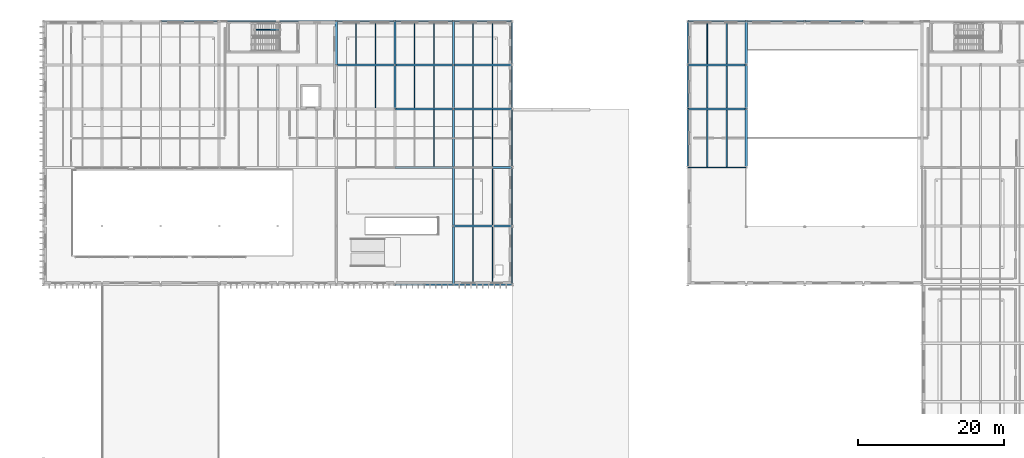
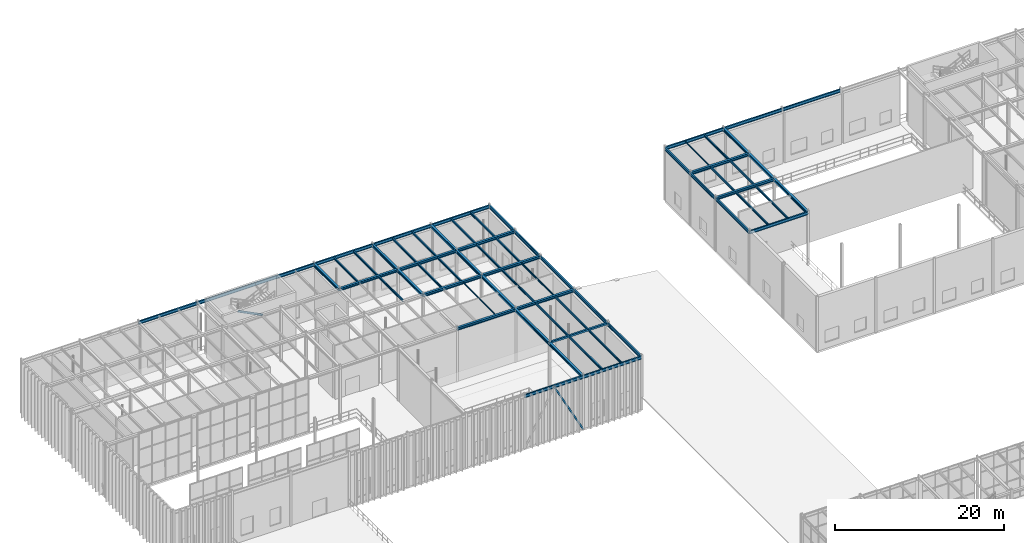
# One storey, part 64 of 138: 65 beams, 2 members.
"""IFC4 building model written with IfcOpenShell, lengths in metres."""

from ifc_helpers import new_model, si_unit, direction, frame, origin, origin_2d, place, context, subcontext, project, spatial, hollow_rectangle, i_section, extrude, material, material_profile, profile_set, type_object, element, save


model = new_model("IFC4")

# Units and contexts
model_context = context("Model", 3, precision=1e-05, world=origin(), true_north=direction((0.0, 1.0)))
body_context = subcontext(model_context, "Body", "Model", "MODEL_VIEW")
ifc_project = project(units=[si_unit("LENGTHUNIT", "METRE"), si_unit("AREAUNIT", "SQUARE_METRE"), si_unit("VOLUMEUNIT", "CUBIC_METRE"), si_unit("PLANEANGLEUNIT", "RADIAN"), si_unit("MASSUNIT", "GRAM", prefix="KILO")], contexts=[model_context])

# Site, building, storey
site_placement = place(None, origin())
site = spatial("IfcSite", under=ifc_project, at=site_placement, CompositionType="ELEMENT")
building_placement = place(site_placement, origin())
building = spatial("IfcBuilding", under=site, at=building_placement, Name="Sundkrona Museum", CompositionType="ELEMENT")
storey_placement = place(building_placement, frame((0.0, 0.0, 9.60009765625)))
storey = spatial("IfcBuildingStorey", under=building, at=storey_placement, Name="L02", CompositionType="ELEMENT", Elevation=9.60009765625)

# Beams
ifc_material_1 = material(Name="Steel S355J2", Category="steel")
ifc_material_profile_1 = material_profile(ifc_material_1, i_section(OverallWidth=0.300048828125, OverallDepth=0.389892578125, WebThickness=0.010986328125, FlangeThickness=0.01904296875, FilletRadius=0.027099609375, at=origin_2d()), Name="HEA 400")
ifc_profile_set_1 = profile_set([ifc_material_profile_1], Name="Steel S355J2")
beam_type_1 = type_object("IfcBeamType", Name="B-HEA400", PredefinedType="BEAM", material=ifc_profile_set_1)
for number, where, z_axis, x_axis, name in (
    (1, (64.0, 94.0, 7.56494140625), (1.0, 0.0, 0.0), (0.0, 1.0, 0.0), "L02 Girder X-1217"),
    (2, (72.0, 94.0, 7.56494140625), (1.0, 0.0, 0.0), (0.0, 1.0, 0.0), "L02 Girder X-1218"),
    (3, (64.0, 102.0, 7.56494140625), (1.0, 0.0, 0.0), (0.0, 1.0, 0.0), "L02 Girder X-1230"),
    (4, (72.0, 102.0, 7.56494140625), (1.0, 0.0, 0.0), (0.0, 1.0, 0.0), "L02 Girder X-1231"),
    (5, (104.0, 102.0, 7.544921875), (1.0, 0.0, 0.0), (0.0, 1.0, 0.0), "L02 Girder X-1232"),
    (6, (64.0, 108.0, 7.56494140625), (1.0, 0.0, 0.0), (0.0, 1.0, 0.0), "L02 Girder X-1243"),
    (7, (72.0, 108.0, 7.56494140625), (1.0, 0.0, 0.0), (0.0, 1.0, 0.0), "L02 Girder X-1244"),
    (8, (104.0, 108.0, 7.544921875), (1.0, 0.0, 0.0), (0.0, 1.0, 0.0), "L02 Girder X-1245"),
):
    element("IfcBeam", number, at=place(storey_placement, frame(where, z_axis=z_axis, x_axis=x_axis)), inside=storey, type_object=beam_type_1, Name=name, PredefinedType="BEAM", context=body_context, shape_type="SweptSolid", body=[
        extrude(i_section(OverallWidth=0.300048828125, OverallDepth=0.389892578125, WebThickness=0.010986328125, FlangeThickness=0.01904296875, FilletRadius=0.027099609375, at=origin_2d()), origin(), (0.0, 0.0, 1.0), 8.0),
    ])
for number, where, z_axis, x_axis, name in (
    (9, (56.0, 108.0, 7.56494140625), (0.0, 1.0, 0.0), (-1.0, 0.0, 0.0), "L02 Girder Y-1294"),
    (10, (64.0, 102.0, 7.56494140625), (0.0, 1.0, 0.0), (-1.0, 0.0, 0.0), "L02 Girder Y-1296"),
    (11, (64.0, 108.0, 7.56494140625), (0.0, 1.0, 0.0), (-1.0, 0.0, 0.0), "L02 Girder Y-1297"),
):
    element("IfcBeam", number, at=place(storey_placement, frame(where, z_axis=z_axis, x_axis=x_axis)), inside=storey, type_object=beam_type_1, Name=name, PredefinedType="BEAM", context=body_context, shape_type="SweptSolid", body=[
        extrude(i_section(OverallWidth=0.300048828125, OverallDepth=0.389892578125, WebThickness=0.010986328125, FlangeThickness=0.01904296875, FilletRadius=0.027099609375, at=origin_2d()), origin(), (0.0, 0.0, 1.0), 6.0),
    ])
for number, where, z_axis, x_axis, name in (
    (12, (72.0, 78.0, 7.56494140625), (0.0, 1.0, 0.0), (-1.0, 0.0, 0.0), "L02 Girder Y-1298"),
    (13, (72.0, 86.0, 7.56494140625), (0.0, 1.0, 0.0), (-1.0, 0.0, 0.0), "L02 Girder Y-1299"),
    (14, (72.0, 94.0, 7.56494140625), (0.0, 1.0, 0.0), (-1.0, 0.0, 0.0), "L02 Girder Y-1300"),
):
    element("IfcBeam", number, at=place(storey_placement, frame(where, z_axis=z_axis, x_axis=x_axis)), inside=storey, type_object=beam_type_1, Name=name, PredefinedType="BEAM", context=body_context, shape_type="SweptSolid", body=[
        extrude(i_section(OverallWidth=0.300048828125, OverallDepth=0.389892578125, WebThickness=0.010986328125, FlangeThickness=0.01904296875, FilletRadius=0.027099609375, at=origin_2d()), origin(), (0.0, 0.0, 1.0), 8.0),
    ])
for number, where, z_axis, x_axis, name in (
    (15, (72.0, 102.0, 7.56494140625), (0.0, 1.0, 0.0), (-1.0, 0.0, 0.0), "L02 Girder Y-1301"),
    (16, (72.0, 108.0, 7.56494140625), (0.0, 1.0, 0.0), (-1.0, 0.0, 0.0), "L02 Girder Y-1302"),
):
    element("IfcBeam", number, at=place(storey_placement, frame(where, z_axis=z_axis, x_axis=x_axis)), inside=storey, type_object=beam_type_1, Name=name, PredefinedType="BEAM", context=body_context, shape_type="SweptSolid", body=[
        extrude(i_section(OverallWidth=0.300048828125, OverallDepth=0.389892578125, WebThickness=0.010986328125, FlangeThickness=0.01904296875, FilletRadius=0.027099609375, at=origin_2d()), origin(), (0.0, 0.0, 1.0), 6.0),
    ])
beam_1_placement = place(storey_placement, frame((112.0, 94.0, 7.544921875), z_axis=(0.0, 1.0, 0.0), x_axis=(-1.0, 0.0, 0.0)))
element("IfcBeam", 17, at=beam_1_placement, inside=storey, type_object=beam_type_1, Name="L02 Girder Y-1329", PredefinedType="BEAM", context=body_context, shape_type="SweptSolid", body=[
    extrude(i_section(OverallWidth=0.300048828125, OverallDepth=0.389892578125, WebThickness=0.010986328125, FlangeThickness=0.01904296875, FilletRadius=0.027099609375, at=origin_2d()), origin(), (0.0, 0.0, 1.0), 8.0),
])
for number, where, z_axis, x_axis, name in (
    (18, (112.0, 102.0, 7.544921875), (0.0, 1.0, 0.0), (-1.0, 0.0, 0.0), "L02 Girder Y-1330"),
    (19, (112.0, 108.0, 7.544921875), (0.0, 1.0, 0.0), (-1.0, 0.0, 0.0), "L02 Girder Y-1331"),
):
    element("IfcBeam", number, at=place(storey_placement, frame(where, z_axis=z_axis, x_axis=x_axis)), inside=storey, type_object=beam_type_1, Name=name, PredefinedType="BEAM", context=body_context, shape_type="SweptSolid", body=[
        extrude(i_section(OverallWidth=0.300048828125, OverallDepth=0.389892578125, WebThickness=0.010986328125, FlangeThickness=0.01904296875, FilletRadius=0.027099609375, at=origin_2d()), origin(), (0.0, 0.0, 1.0), 6.0),
    ])
ifc_material_profile_2 = material_profile(ifc_material_1, i_section(OverallWidth=0.300048828125, OverallDepth=0.360107421875, WebThickness=0.012451171875, FlangeThickness=0.0224609375, FilletRadius=0.027099609375, at=origin_2d()), Name="HEB 360")
ifc_profile_set_2 = profile_set([ifc_material_profile_2], Name="Steel S355J2")
beam_type_2 = type_object("IfcBeamType", Name="B-HEB360", PredefinedType="BEAM", material=ifc_profile_set_2)
beam_2_placement = place(storey_placement, frame((56.0, 108.0, 7.579833984375), z_axis=(1.0, 0.0, 0.0), x_axis=(0.0, 1.0, 0.0)))
element("IfcBeam", 20, at=beam_2_placement, inside=storey, type_object=beam_type_2, Name="L02 Girder X-1242", PredefinedType="BEAM", context=body_context, shape_type="SweptSolid", body=[
    extrude(i_section(OverallWidth=0.300048828125, OverallDepth=0.360107421875, WebThickness=0.012451171875, FlangeThickness=0.0224609375, FilletRadius=0.027099609375, at=origin_2d()), origin(), (0.0, 0.0, 1.0), 8.0),
])
ifc_material_2 = material(Name="Steel S460M", Category="steel")
ifc_material_profile_3 = material_profile(ifc_material_2, hollow_rectangle(XDim=0.25, YDim=0.25, WallThickness=0.012451171875, at=origin_2d()), Name="SHS 250x250x12.5")
ifc_profile_set_3 = profile_set([ifc_material_profile_3], Name="Steel S460M")
beam_type_3 = type_object("IfcBeamType", Name="B-SHS250", PredefinedType="BEAM", material=ifc_profile_set_3)
beam_3_placement = place(storey_placement, frame((72.0, 86.0, 7.635009765625), z_axis=(1.0, 0.0, 0.0), x_axis=(0.0, 1.0, 0.0)))
element("IfcBeam", 21, at=beam_3_placement, inside=storey, type_object=beam_type_3, Name="L02 Girder X-1206", PredefinedType="BEAM", context=body_context, shape_type="SweptSolid", body=[
    extrude(hollow_rectangle(XDim=0.25, YDim=0.25, WallThickness=0.012451171875, at=origin_2d()), origin(), (0.0, 0.0, 1.0), 8.0),
])

# Members
ifc_material_profile_4 = material_profile(ifc_material_1, i_section(OverallWidth=0.135009765625, OverallDepth=0.27001953125, WebThickness=0.006591796875, FlangeThickness=0.01025390625, FilletRadius=0.014892578125, at=origin_2d()), Name="IPE 270")
ifc_profile_set_4 = profile_set([ifc_material_profile_4], Name="Steel S355J2")
member_type_1 = type_object("IfcMemberType", Name="BR-IPE270", PredefinedType="BRACE", material=ifc_profile_set_4)
member_1_placement = place(storey_placement, frame((48.300048828125, 112.800048828125, 3.679931640625), z_axis=(-0.891672672484, 0.0, 0.452680732022), x_axis=(0.0, -1.0, 0.0)))
element("IfcMember", 22, at=member_1_placement, inside=storey, type_object=member_type_1, Name="SRK-1 L02 ST-3 Flight 3 Inclined Carriage Raker", PredefinedType="BRACE", context=body_context, shape_type="SweptSolid", body=[
    extrude(i_section(OverallWidth=0.135009765625, OverallDepth=0.27001953125, WebThickness=0.006591796875, FlangeThickness=0.01025390625, FilletRadius=0.014892578125, at=origin_2d()), origin(), (0.0, 0.0, 1.0), 3.852294921875),
])
ifc_material_profile_5 = material_profile(ifc_material_1, hollow_rectangle(XDim=0.199951171875, YDim=0.199951171875, WallThickness=0.010009765625, at=origin_2d()), Name="SHS 200x200x10.0")
ifc_profile_set_5 = profile_set([ifc_material_profile_5], Name="Steel S355J2")
member_type_2 = type_object("IfcMemberType", Name="BR-SHS200", PredefinedType="BRACE", material=ifc_profile_set_5)
member_2_placement = place(storey_placement, frame((72.0, 78.0, 0.0), z_axis=(-0.468651123165, 0.0, 0.883383339642), x_axis=(0.0, -1.0, 0.0)))
element("IfcMember", 23, at=member_2_placement, inside=storey, type_object=member_type_2, Name="CBR-1 L02 Concentric Chevron Brace 021B", PredefinedType="BRACE", context=body_context, shape_type="SweptSolid", body=[
    extrude(hollow_rectangle(XDim=0.199951171875, YDim=0.199951171875, WallThickness=0.010009765625, at=origin_2d()), origin(), (0.0, 0.0, 1.0), 8.53515625),
])

# Beams
ifc_material_profile_6 = material_profile(ifc_material_1, i_section(OverallWidth=0.091064453125, OverallDepth=0.179931640625, WebThickness=0.00537109375, FlangeThickness=0.008056640625, FilletRadius=0.009033203125, at=origin_2d()), Name="IPE 180")
ifc_profile_set_6 = profile_set([ifc_material_profile_6], Name="Steel S355J2")
beam_type_4 = type_object("IfcBeamType", Name="J-IPE180", PredefinedType="JOIST", material=ifc_profile_set_6)
beam_4_placement = place(storey_placement, frame((69.333251953125, 94.14404296875, 7.669921875), z_axis=(0.0, 1.0, 0.0), x_axis=(-1.0, 0.0, 0.0)))
element("IfcBeam", 24, at=beam_4_placement, inside=storey, type_object=beam_type_4, Name="L02 Composite Joist 0815", PredefinedType="JOIST", context=body_context, shape_type="SweptSolid", body=[
    extrude(i_section(OverallWidth=0.091064453125, OverallDepth=0.179931640625, WebThickness=0.00537109375, FlangeThickness=0.008056640625, FilletRadius=0.009033203125, at=origin_2d()), origin(), (0.0, 0.0, 1.0), 7.7119140625),
])
beam_5_placement = place(storey_placement, frame((106.666748046875, 108.14404296875, 7.64990234375), z_axis=(0.0, 1.0, 0.0), x_axis=(-1.0, 0.0, 0.0)))
element("IfcBeam", 25, at=beam_5_placement, inside=storey, type_object=beam_type_4, Name="L02 Composite Joist 0855", PredefinedType="JOIST", context=body_context, shape_type="SweptSolid", body=[
    extrude(i_section(OverallWidth=0.091064453125, OverallDepth=0.179931640625, WebThickness=0.00537109375, FlangeThickness=0.008056640625, FilletRadius=0.009033203125, at=origin_2d()), origin(), (0.0, 0.0, 1.0), 5.766845703125),
])
ifc_material_profile_7 = material_profile(ifc_material_1, i_section(OverallWidth=0.1201171875, OverallDepth=0.239990234375, WebThickness=0.006103515625, FlangeThickness=0.009765625, FilletRadius=0.014892578125, at=origin_2d()), Name="IPE 240")
ifc_profile_set_7 = profile_set([ifc_material_profile_7], Name="Steel S355J2")
beam_type_5 = type_object("IfcBeamType", Name="J-IPE240", PredefinedType="JOIST", material=ifc_profile_set_7)
beam_6_placement = place(storey_placement, frame((77.333251953125, 94.14404296875, 7.639892578125), z_axis=(0.0, 1.0, 0.0), x_axis=(-1.0, 0.0, 0.0)))
element("IfcBeam", 26, at=beam_6_placement, inside=storey, type_object=beam_type_5, Name="L02 Composite Joist 0825", PredefinedType="JOIST", context=body_context, shape_type="SweptSolid", body=[
    extrude(i_section(OverallWidth=0.1201171875, OverallDepth=0.239990234375, WebThickness=0.006103515625, FlangeThickness=0.009765625, FilletRadius=0.014892578125, at=origin_2d()), origin(), (0.0, 0.0, 1.0), 7.7119140625),
])
ifc_material_profile_8 = material_profile(ifc_material_1, i_section(OverallWidth=0.14990234375, OverallDepth=0.300048828125, WebThickness=0.007080078125, FlangeThickness=0.0107421875, FilletRadius=0.014892578125, at=origin_2d()), Name="IPE 300")
ifc_profile_set_8 = profile_set([ifc_material_profile_8], Name="Steel S355J2")
beam_type_6 = type_object("IfcBeamType", Name="J-IPE300", PredefinedType="JOIST", material=ifc_profile_set_8)
beam_7_placement = place(storey_placement, frame((61.333251953125, 102.14404296875, 7.60986328125), z_axis=(0.0, 1.0, 0.0), x_axis=(-1.0, 0.0, 0.0)))
element("IfcBeam", 27, at=beam_7_placement, inside=storey, type_object=beam_type_6, Name="L02 Composite Joist 0811", PredefinedType="JOIST", context=body_context, shape_type="SweptSolid", body=[
    extrude(i_section(OverallWidth=0.14990234375, OverallDepth=0.300048828125, WebThickness=0.007080078125, FlangeThickness=0.0107421875, FilletRadius=0.014892578125, at=origin_2d()), origin(), (0.0, 0.0, 1.0), 5.7119140625),
])
for number, where, z_axis, x_axis, name in (
    (28, (58.666748046875, 108.14404296875, 7.60986328125), (0.0, 1.0, 0.0), (-1.0, 0.0, 0.0), "L02 Composite Joist 0812"),
    (29, (61.333251953125, 108.14404296875, 7.60986328125), (0.0, 1.0, 0.0), (-1.0, 0.0, 0.0), "L02 Composite Joist 0813"),
):
    element("IfcBeam", number, at=place(storey_placement, frame(where, z_axis=z_axis, x_axis=x_axis)), inside=storey, type_object=beam_type_6, Name=name, PredefinedType="JOIST", context=body_context, shape_type="SweptSolid", body=[
        extrude(i_section(OverallWidth=0.14990234375, OverallDepth=0.300048828125, WebThickness=0.007080078125, FlangeThickness=0.0107421875, FilletRadius=0.014892578125, at=origin_2d()), origin(), (0.0, 0.0, 1.0), 5.766845703125),
    ])
for number, where, z_axis, x_axis, name in (
    (30, (66.666748046875, 102.14404296875, 7.60986328125), (0.0, 1.0, 0.0), (-1.0, 0.0, 0.0), "L02 Composite Joist 0816"),
    (31, (69.333251953125, 102.14404296875, 7.60986328125), (0.0, 1.0, 0.0), (-1.0, 0.0, 0.0), "L02 Composite Joist 0817"),
):
    element("IfcBeam", number, at=place(storey_placement, frame(where, z_axis=z_axis, x_axis=x_axis)), inside=storey, type_object=beam_type_6, Name=name, PredefinedType="JOIST", context=body_context, shape_type="SweptSolid", body=[
        extrude(i_section(OverallWidth=0.14990234375, OverallDepth=0.300048828125, WebThickness=0.007080078125, FlangeThickness=0.0107421875, FilletRadius=0.014892578125, at=origin_2d()), origin(), (0.0, 0.0, 1.0), 5.7119140625),
    ])
for number, where, z_axis, x_axis, name in (
    (32, (66.666748046875, 108.14404296875, 7.60986328125), (0.0, 1.0, 0.0), (-1.0, 0.0, 0.0), "L02 Composite Joist 0818"),
    (33, (69.333251953125, 108.14404296875, 7.60986328125), (0.0, 1.0, 0.0), (-1.0, 0.0, 0.0), "L02 Composite Joist 0819"),
):
    element("IfcBeam", number, at=place(storey_placement, frame(where, z_axis=z_axis, x_axis=x_axis)), inside=storey, type_object=beam_type_6, Name=name, PredefinedType="JOIST", context=body_context, shape_type="SweptSolid", body=[
        extrude(i_section(OverallWidth=0.14990234375, OverallDepth=0.300048828125, WebThickness=0.007080078125, FlangeThickness=0.0107421875, FilletRadius=0.014892578125, at=origin_2d()), origin(), (0.0, 0.0, 1.0), 5.766845703125),
    ])
beam_8_placement = place(storey_placement, frame((77.333251953125, 78.089111328125, 7.60986328125), z_axis=(0.0, 1.0, 0.0), x_axis=(-1.0, 0.0, 0.0)))
element("IfcBeam", 34, at=beam_8_placement, inside=storey, type_object=beam_type_6, Name="L02 Composite Joist 0821", PredefinedType="JOIST", context=body_context, shape_type="SweptSolid", body=[
    extrude(i_section(OverallWidth=0.14990234375, OverallDepth=0.300048828125, WebThickness=0.007080078125, FlangeThickness=0.0107421875, FilletRadius=0.014892578125, at=origin_2d()), origin(), (0.0, 0.0, 1.0), 7.7919921875),
])
for number, where, z_axis, x_axis, name in (
    (35, (74.666748046875, 86.118896484375, 7.60986328125), (0.0, 1.0, 0.0), (-1.0, 0.0, 0.0), "L02 Composite Joist 0822"),
    (36, (77.333251953125, 86.118896484375, 7.60986328125), (0.0, 1.0, 0.0), (-1.0, 0.0, 0.0), "L02 Composite Joist 0823"),
):
    element("IfcBeam", number, at=place(storey_placement, frame(where, z_axis=z_axis, x_axis=x_axis)), inside=storey, type_object=beam_type_6, Name=name, PredefinedType="JOIST", context=body_context, shape_type="SweptSolid", body=[
        extrude(i_section(OverallWidth=0.14990234375, OverallDepth=0.300048828125, WebThickness=0.007080078125, FlangeThickness=0.0107421875, FilletRadius=0.014892578125, at=origin_2d()), origin(), (0.0, 0.0, 1.0), 7.737060546875),
    ])
beam_9_placement = place(storey_placement, frame((74.666748046875, 94.14404296875, 7.60986328125), z_axis=(0.0, 1.0, 0.0), x_axis=(-1.0, 0.0, 0.0)))
element("IfcBeam", 37, at=beam_9_placement, inside=storey, type_object=beam_type_6, Name="L02 Composite Joist 0824", PredefinedType="JOIST", context=body_context, shape_type="SweptSolid", body=[
    extrude(i_section(OverallWidth=0.14990234375, OverallDepth=0.300048828125, WebThickness=0.007080078125, FlangeThickness=0.0107421875, FilletRadius=0.014892578125, at=origin_2d()), origin(), (0.0, 0.0, 1.0), 7.7119140625),
])
for number, where, z_axis, x_axis, name in (
    (38, (74.666748046875, 102.14404296875, 7.60986328125), (0.0, 1.0, 0.0), (-1.0, 0.0, 0.0), "L02 Composite Joist 0826"),
    (39, (77.333251953125, 102.14404296875, 7.60986328125), (0.0, 1.0, 0.0), (-1.0, 0.0, 0.0), "L02 Composite Joist 0827"),
):
    element("IfcBeam", number, at=place(storey_placement, frame(where, z_axis=z_axis, x_axis=x_axis)), inside=storey, type_object=beam_type_6, Name=name, PredefinedType="JOIST", context=body_context, shape_type="SweptSolid", body=[
        extrude(i_section(OverallWidth=0.14990234375, OverallDepth=0.300048828125, WebThickness=0.007080078125, FlangeThickness=0.0107421875, FilletRadius=0.014892578125, at=origin_2d()), origin(), (0.0, 0.0, 1.0), 5.7119140625),
    ])
for number, where, z_axis, x_axis, name in (
    (40, (74.666748046875, 108.14404296875, 7.60986328125), (0.0, 1.0, 0.0), (-1.0, 0.0, 0.0), "L02 Composite Joist 0828"),
    (41, (77.333251953125, 108.14404296875, 7.60986328125), (0.0, 1.0, 0.0), (-1.0, 0.0, 0.0), "L02 Composite Joist 0829"),
):
    element("IfcBeam", number, at=place(storey_placement, frame(where, z_axis=z_axis, x_axis=x_axis)), inside=storey, type_object=beam_type_6, Name=name, PredefinedType="JOIST", context=body_context, shape_type="SweptSolid", body=[
        extrude(i_section(OverallWidth=0.14990234375, OverallDepth=0.300048828125, WebThickness=0.007080078125, FlangeThickness=0.0107421875, FilletRadius=0.014892578125, at=origin_2d()), origin(), (0.0, 0.0, 1.0), 5.766845703125),
    ])
for number, where, z_axis, x_axis, name in (
    (42, (106.666748046875, 94.089111328125, 7.58984375), (0.0, 1.0, 0.0), (-1.0, 0.0, 0.0), "L02 Composite Joist 0851"),
    (43, (109.333251953125, 94.089111328125, 7.58984375), (0.0, 1.0, 0.0), (-1.0, 0.0, 0.0), "L02 Composite Joist 0852"),
):
    element("IfcBeam", number, at=place(storey_placement, frame(where, z_axis=z_axis, x_axis=x_axis)), inside=storey, type_object=beam_type_6, Name=name, PredefinedType="JOIST", context=body_context, shape_type="SweptSolid", body=[
        extrude(i_section(OverallWidth=0.14990234375, OverallDepth=0.300048828125, WebThickness=0.007080078125, FlangeThickness=0.0107421875, FilletRadius=0.014892578125, at=origin_2d()), origin(), (0.0, 0.0, 1.0), 7.766845703125),
    ])
for number, where, z_axis, x_axis, name in (
    (44, (106.666748046875, 102.14404296875, 7.58984375), (0.0, 1.0, 0.0), (-1.0, 0.0, 0.0), "L02 Composite Joist 0853"),
    (45, (109.333251953125, 102.14404296875, 7.58984375), (0.0, 1.0, 0.0), (-1.0, 0.0, 0.0), "L02 Composite Joist 0854"),
):
    element("IfcBeam", number, at=place(storey_placement, frame(where, z_axis=z_axis, x_axis=x_axis)), inside=storey, type_object=beam_type_6, Name=name, PredefinedType="JOIST", context=body_context, shape_type="SweptSolid", body=[
        extrude(i_section(OverallWidth=0.14990234375, OverallDepth=0.300048828125, WebThickness=0.007080078125, FlangeThickness=0.0107421875, FilletRadius=0.014892578125, at=origin_2d()), origin(), (0.0, 0.0, 1.0), 5.7119140625),
    ])
beam_10_placement = place(storey_placement, frame((109.333251953125, 108.14404296875, 7.58984375), z_axis=(0.0, 1.0, 0.0), x_axis=(-1.0, 0.0, 0.0)))
element("IfcBeam", 46, at=beam_10_placement, inside=storey, type_object=beam_type_6, Name="L02 Composite Joist 0856", PredefinedType="JOIST", context=body_context, shape_type="SweptSolid", body=[
    extrude(i_section(OverallWidth=0.14990234375, OverallDepth=0.300048828125, WebThickness=0.007080078125, FlangeThickness=0.0107421875, FilletRadius=0.014892578125, at=origin_2d()), origin(), (0.0, 0.0, 1.0), 5.766845703125),
])
ifc_material_profile_9 = material_profile(ifc_material_1, i_section(OverallWidth=0.159912109375, OverallDepth=0.330078125, WebThickness=0.007568359375, FlangeThickness=0.011474609375, FilletRadius=0.01806640625, at=origin_2d()), Name="IPE 330")
ifc_profile_set_9 = profile_set([ifc_material_profile_9], Name="Steel S355J2")
beam_type_7 = type_object("IfcBeamType", Name="J-IPE330", PredefinedType="JOIST", material=ifc_profile_set_9)
beam_11_placement = place(storey_placement, frame((74.666748046875, 78.089111328125, 7.594970703125), z_axis=(0.0, 1.0, 0.0), x_axis=(-1.0, 0.0, 0.0)))
element("IfcBeam", 47, at=beam_11_placement, inside=storey, type_object=beam_type_7, Name="L02 Composite Joist 0820", PredefinedType="JOIST", context=body_context, shape_type="SweptSolid", body=[
    extrude(i_section(OverallWidth=0.159912109375, OverallDepth=0.330078125, WebThickness=0.007568359375, FlangeThickness=0.011474609375, FilletRadius=0.01806640625, at=origin_2d()), origin(), (0.0, 0.0, 1.0), 7.7919921875),
])
ifc_material_profile_10 = material_profile(ifc_material_1, i_section(OverallWidth=0.18994140625, OverallDepth=0.449951171875, WebThickness=0.009521484375, FlangeThickness=0.0146484375, FilletRadius=0.02099609375, at=origin_2d()), Name="IPE 450")
ifc_profile_set_10 = profile_set([ifc_material_profile_10], Name="Steel S355J2")
beam_type_8 = type_object("IfcBeamType", Name="SP-IPE450", PredefinedType="SPANDREL", material=ifc_profile_set_10)
for number, where, z_axis, x_axis, name in (
    (48, (64.0, 78.0, 7.534912109375), (1.0, 0.0, 0.0), (0.0, 1.0, 0.0), "L02 Girder X-1200"),
    (49, (72.0, 78.0, 7.534912109375), (1.0, 0.0, 0.0), (0.0, 1.0, 0.0), "L02 Girder X-1201"),
    (50, (104.0, 94.0, 7.514892578125), (1.0, 0.0, 0.0), (0.0, 1.0, 0.0), "L02 Girder X-1219"),
    (51, (32.0, 114.0, 7.534912109375), (1.0, 0.0, 0.0), (0.0, 1.0, 0.0), "L02 Girder X-1252"),
    (52, (40.0, 114.0, 7.534912109375), (1.0, 0.0, 0.0), (0.0, 1.0, 0.0), "L02 Girder X-1253"),
    (53, (48.0, 114.0, 7.534912109375), (1.0, 0.0, 0.0), (0.0, 1.0, 0.0), "L02 Girder X-1254"),
    (54, (56.0, 114.0, 7.534912109375), (1.0, 0.0, 0.0), (0.0, 1.0, 0.0), "L02 Girder X-1255"),
    (55, (64.0, 114.0, 7.534912109375), (1.0, 0.0, 0.0), (0.0, 1.0, 0.0), "L02 Girder X-1256"),
    (56, (72.0, 114.0, 7.534912109375), (1.0, 0.0, 0.0), (0.0, 1.0, 0.0), "L02 Girder X-1257"),
    (57, (104.0, 114.0, 7.514892578125), (1.0, 0.0, 0.0), (0.0, 1.0, 0.0), "L02 Girder X-1258"),
    (58, (112.0, 114.0, 7.514892578125), (1.0, 0.0, 0.0), (0.0, 1.0, 0.0), "L02 Girder X-1259"),
    (59, (120.0, 114.0, 7.514892578125), (1.0, 0.0, 0.0), (0.0, 1.0, 0.0), "L02 Girder X-1260"),
    (60, (80.0, 78.0, 7.534912109375), (0.0, 1.0, 0.0), (-1.0, 0.0, 0.0), "L02 Girder Y-1308"),
    (61, (80.0, 86.0, 7.534912109375), (0.0, 1.0, 0.0), (-1.0, 0.0, 0.0), "L02 Girder Y-1309"),
    (62, (80.0, 94.0, 7.534912109375), (0.0, 1.0, 0.0), (-1.0, 0.0, 0.0), "L02 Girder Y-1310"),
):
    element("IfcBeam", number, at=place(storey_placement, frame(where, z_axis=z_axis, x_axis=x_axis)), inside=storey, type_object=beam_type_8, Name=name, PredefinedType="SPANDREL", context=body_context, shape_type="SweptSolid", body=[
        extrude(i_section(OverallWidth=0.18994140625, OverallDepth=0.449951171875, WebThickness=0.009521484375, FlangeThickness=0.0146484375, FilletRadius=0.02099609375, at=origin_2d()), origin(), (0.0, 0.0, 1.0), 8.0),
    ])
for number, where, z_axis, x_axis, name in (
    (63, (80.0, 102.0, 7.534912109375), (0.0, 1.0, 0.0), (-1.0, 0.0, 0.0), "L02 Girder Y-1311"),
    (64, (80.0, 108.0, 7.534912109375), (0.0, 1.0, 0.0), (-1.0, 0.0, 0.0), "L02 Girder Y-1312"),
):
    element("IfcBeam", number, at=place(storey_placement, frame(where, z_axis=z_axis, x_axis=x_axis)), inside=storey, type_object=beam_type_8, Name=name, PredefinedType="SPANDREL", context=body_context, shape_type="SweptSolid", body=[
        extrude(i_section(OverallWidth=0.18994140625, OverallDepth=0.449951171875, WebThickness=0.009521484375, FlangeThickness=0.0146484375, FilletRadius=0.02099609375, at=origin_2d()), origin(), (0.0, 0.0, 1.0), 6.0),
    ])
beam_12_placement = place(storey_placement, frame((104.0, 94.0, 7.514892578125), z_axis=(0.0, 1.0, 0.0), x_axis=(-1.0, 0.0, 0.0)))
element("IfcBeam", 65, at=beam_12_placement, inside=storey, type_object=beam_type_8, Name="L02 Girder Y-1321", PredefinedType="SPANDREL", context=body_context, shape_type="SweptSolid", body=[
    extrude(i_section(OverallWidth=0.18994140625, OverallDepth=0.449951171875, WebThickness=0.009521484375, FlangeThickness=0.0146484375, FilletRadius=0.02099609375, at=origin_2d()), origin(), (0.0, 0.0, 1.0), 8.0),
])
for number, where, z_axis, x_axis, name in (
    (66, (104.0, 102.0, 7.514892578125), (0.0, 1.0, 0.0), (-1.0, 0.0, 0.0), "L02 Girder Y-1322"),
    (67, (104.0, 108.0, 7.514892578125), (0.0, 1.0, 0.0), (-1.0, 0.0, 0.0), "L02 Girder Y-1323"),
):
    element("IfcBeam", number, at=place(storey_placement, frame(where, z_axis=z_axis, x_axis=x_axis)), inside=storey, type_object=beam_type_8, Name=name, PredefinedType="SPANDREL", context=body_context, shape_type="SweptSolid", body=[
        extrude(i_section(OverallWidth=0.18994140625, OverallDepth=0.449951171875, WebThickness=0.009521484375, FlangeThickness=0.0146484375, FilletRadius=0.02099609375, at=origin_2d()), origin(), (0.0, 0.0, 1.0), 6.0),
    ])

save(model, "model.ifc")
